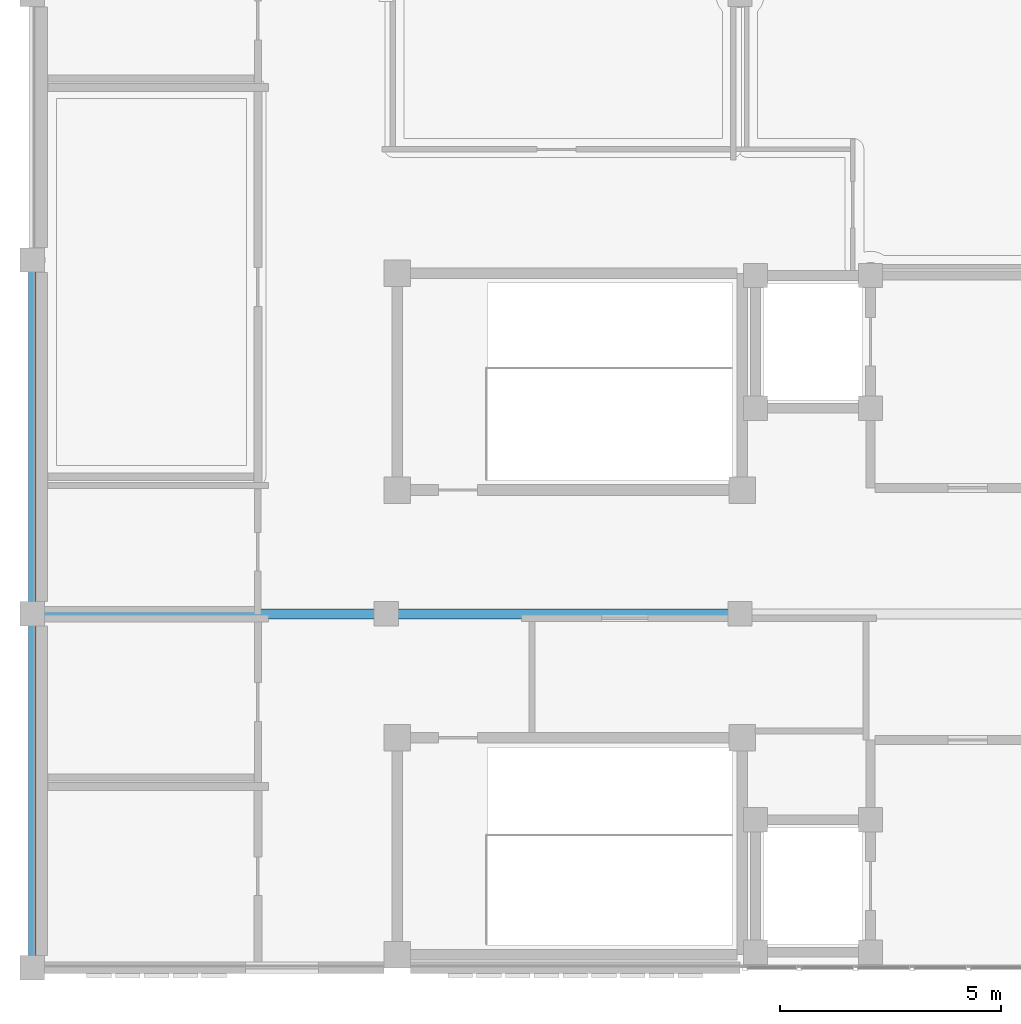
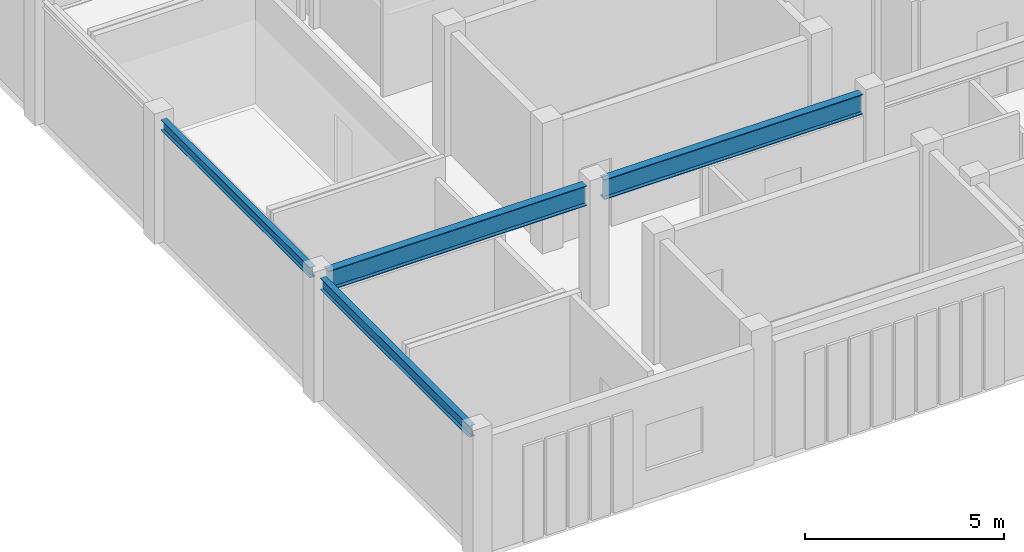
# One storey, part 3 of 11: 4 beams.
"""IFC4 building model written with IfcOpenShell, lengths in metres."""

from ifc_helpers import new_model, si_unit, direction, frame, origin, origin_2d, place, context, subcontext, project, spatial, i_section, extrude, material, material_profile, profile_set, type_object, element, save


model = new_model("IFC4")

# Units and contexts
model_context = context("Model", 3, precision=1e-05, world=origin(), true_north=direction((0.0, 1.0)))
body_context = subcontext(model_context, "Body", "Model", "MODEL_VIEW")
ifc_project = project(units=[si_unit("LENGTHUNIT", "METRE"), si_unit("AREAUNIT", "SQUARE_METRE"), si_unit("VOLUMEUNIT", "CUBIC_METRE"), si_unit("PLANEANGLEUNIT", "RADIAN"), si_unit("MASSUNIT", "GRAM", prefix="KILO")], contexts=[model_context])

# Site, building, storey
site_placement = place(None, origin())
site = spatial("IfcSite", under=ifc_project, at=site_placement, CompositionType="ELEMENT")
building_placement = place(site_placement, origin())
building = spatial("IfcBuilding", under=site, at=building_placement, Name="Celadon Cloister-Ring School", CompositionType="ELEMENT")
storey_placement = place(building_placement, frame((0.0, 0.0, 20.5)))
storey = spatial("IfcBuildingStorey", under=building, at=storey_placement, Name="L05", CompositionType="ELEMENT", Elevation=20.5)

# Beams
ifc_material_1 = material(Name="Structural steel S355JR", Category="steel")
ifc_material_profile_1 = material_profile(ifc_material_1, i_section(OverallWidth=0.1708984375, OverallDepth=0.35498046875, WebThickness=0.007080078125, FlangeThickness=0.01171875, at=origin_2d()), Name="W360X51")
ifc_profile_set_1 = profile_set([ifc_material_profile_1], Name="Structural steel S355JR")
beam_type_1 = type_object("IfcBeamType", Name="BT-07", PredefinedType="BEAM", material=ifc_profile_set_1)
beam_1_placement = place(storey_placement, frame((0.0, 40.25, 3.5830078125), z_axis=(0.0, 1.0, 0.0), x_axis=(-1.0, 0.0, 0.0)))
element("IfcBeam", 1, at=beam_1_placement, inside=storey, type_object=beam_type_1, Name="Beam 1689", PredefinedType="BEAM", context=body_context, shape_type="SweptSolid", body=[
    extrude(i_section(OverallWidth=0.1708984375, OverallDepth=0.35498046875, WebThickness=0.007080078125, FlangeThickness=0.01171875, at=origin_2d()), origin(), (0.0, 0.0, 1.0), 7.5),
])
ifc_material_2 = material(Name="Structural steel S355JR", Category="steel")
ifc_material_profile_2 = material_profile(ifc_material_2, i_section(OverallWidth=0.1669921875, OverallDepth=0.31689453125, WebThickness=0.007568359375, FlangeThickness=0.01318359375, at=origin_2d()), Name="W310X52")
ifc_profile_set_2 = profile_set([ifc_material_profile_2], Name="Structural steel S355JR")
beam_type_2 = type_object("IfcBeamType", Name="BT-08", PredefinedType="BEAM", material=ifc_profile_set_2)
beam_2_placement = place(storey_placement, frame((0.0, 48.25, 3.60205078125), z_axis=(0.0, 1.0, 0.0), x_axis=(-1.0, 0.0, 0.0)))
element("IfcBeam", 2, at=beam_2_placement, inside=storey, type_object=beam_type_2, Name="Beam 1690", PredefinedType="BEAM", context=body_context, shape_type="SweptSolid", body=[
    extrude(i_section(OverallWidth=0.1669921875, OverallDepth=0.31689453125, WebThickness=0.007568359375, FlangeThickness=0.01318359375, at=origin_2d()), origin(), (0.0, 0.0, 1.0), 7.5),
])
ifc_material_3 = material(Name="Structural steel S355JR", Category="steel")
ifc_material_profile_3 = material_profile(ifc_material_3, i_section(OverallWidth=0.22900390625, OverallDepth=0.612060546875, WebThickness=0.011962890625, FlangeThickness=0.01953125, at=origin_2d()), Name="W610X125")
ifc_profile_set_3 = profile_set([ifc_material_profile_3], Name="Structural steel S355JR")
beam_type_3 = type_object("IfcBeamType", Name="GT-05", PredefinedType="USERDEFINED", material=ifc_profile_set_3)
for number, where, z_axis, x_axis, name in (
    (3, (0.25, 48.0, 3.4541015625), (1.0, 0.0, 0.0), (0.0, 1.0, 0.0), "Beam 1680"),
    (4, (8.25, 48.0, 3.4541015625), (1.0, 0.0, 0.0), (0.0, 1.0, 0.0), "Beam 1681"),
):
    element("IfcBeam", number, at=place(storey_placement, frame(where, z_axis=z_axis, x_axis=x_axis)), inside=storey, type_object=beam_type_3, Name=name, ObjectType="GIRDER", PredefinedType="USERDEFINED", context=body_context, shape_type="SweptSolid", body=[
        extrude(i_section(OverallWidth=0.22900390625, OverallDepth=0.612060546875, WebThickness=0.011962890625, FlangeThickness=0.01953125, at=origin_2d()), origin(), (0.0, 0.0, 1.0), 7.5),
    ])

save(model, "model.ifc")
